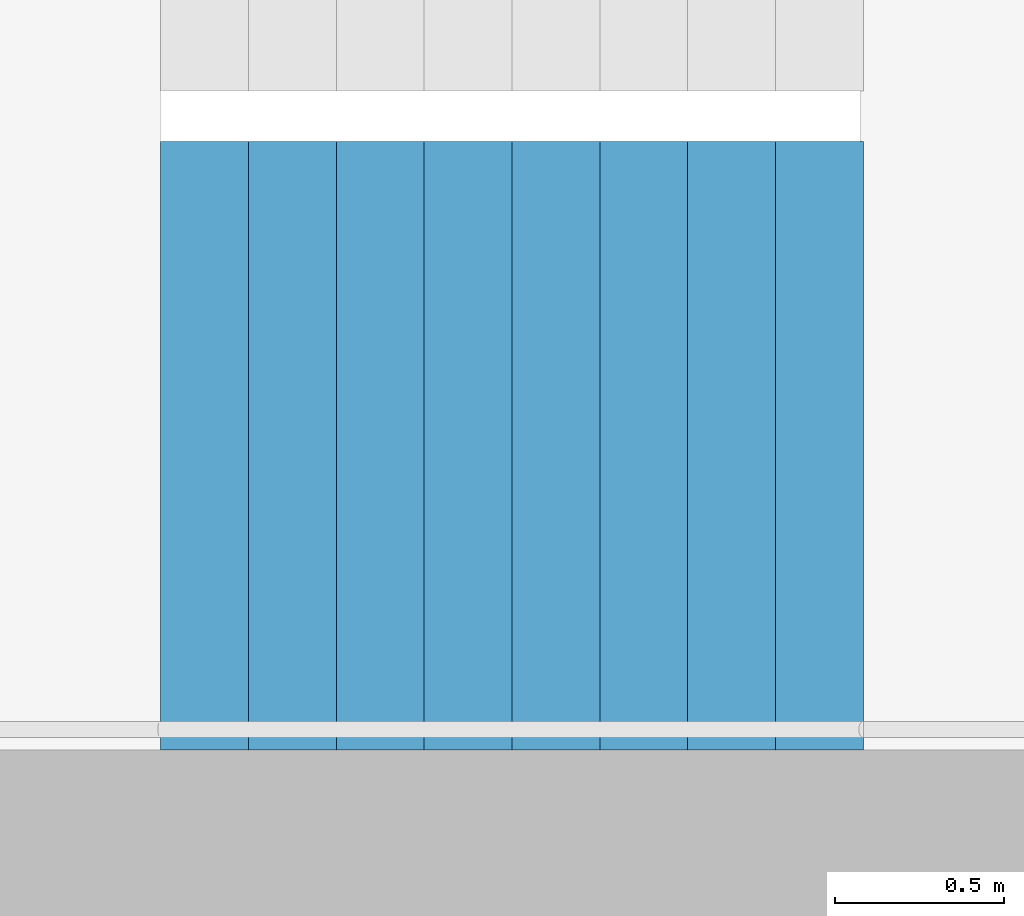
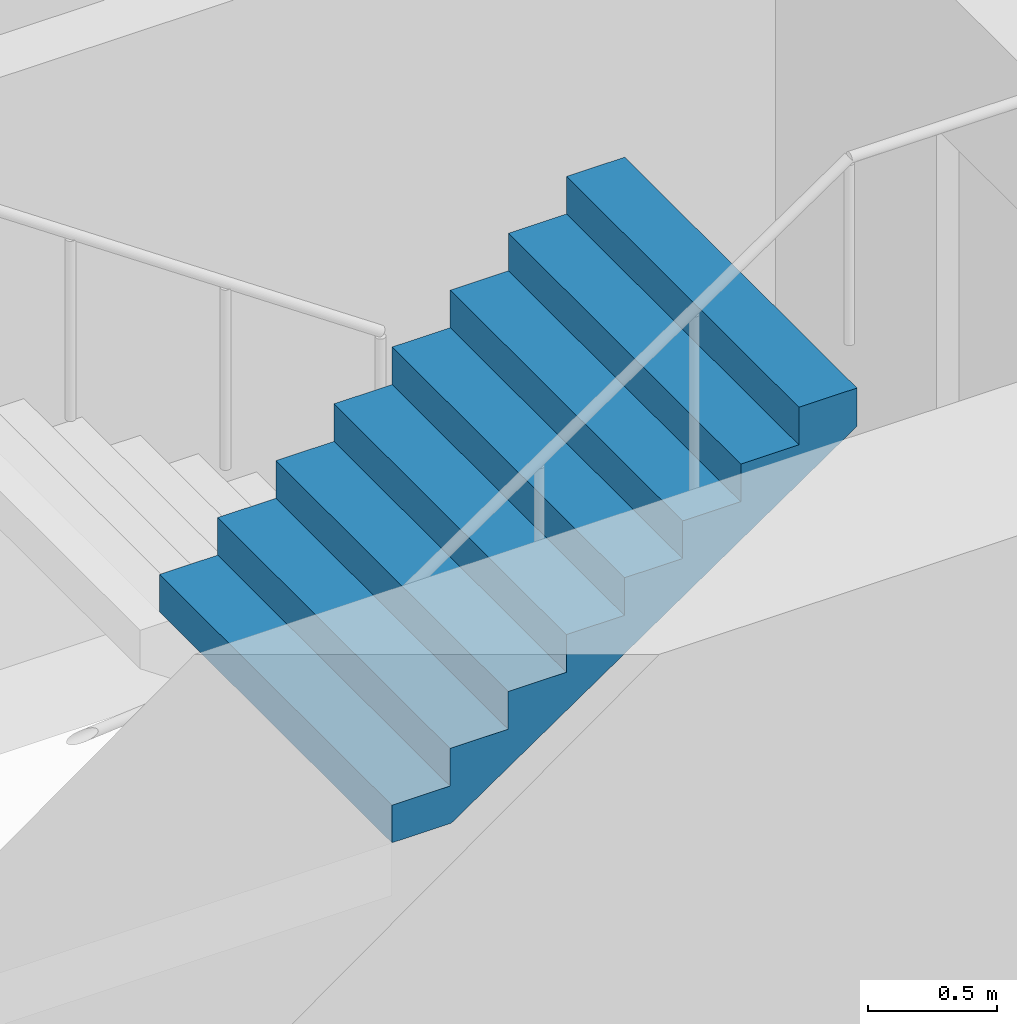
# One storey, part 21 of 29: 1 stair flight, 1 element without a shape of its own.
"""IFC4 building model written with IfcOpenShell, lengths in metres."""

from ifc_helpers import new_model, si_unit, direction, frame, origin, place, context, subcontext, project, spatial, triangles, material, type_object, element, aggregate, save


model = new_model("IFC4")

# Units and contexts
model_context = context("Model", 3, precision=1e-05, world=origin(), true_north=direction((0.0, 1.0)))
body_context = subcontext(model_context, "Body", "Model", "MODEL_VIEW")
ifc_project = project(units=[si_unit("LENGTHUNIT", "METRE"), si_unit("AREAUNIT", "SQUARE_METRE"), si_unit("VOLUMEUNIT", "CUBIC_METRE"), si_unit("PLANEANGLEUNIT", "RADIAN"), si_unit("MASSUNIT", "GRAM", prefix="KILO")], contexts=[model_context])

# Site, building, storey
site_placement = place(None, origin())
site = spatial("IfcSite", under=ifc_project, at=site_placement, CompositionType="ELEMENT")
building_placement = place(site_placement, origin())
building = spatial("IfcBuilding", under=site, at=building_placement, Name="Hakoniwa Tower and Hamabe Station Hall", CompositionType="ELEMENT")
storey_placement = place(building_placement, frame((0.0, 0.0, 29.39990234375)))
storey = spatial("IfcBuildingStorey", under=building, at=storey_placement, Name="L07", CompositionType="ELEMENT", Elevation=29.39990234375)

# Stair, stair flight
ifc_material_1 = material(Name="Concrete C40", Category="concrete")
stair_type = type_object("IfcStairType", Name="ESCAPE STAIR 1800", PredefinedType="HALF_TURN_STAIR", material=ifc_material_1)
stair_placement = place(storey_placement, origin())
stair = element("IfcStair", 1, at=stair_placement, inside=storey, type_object=stair_type, Name="Escape stair ST-2 L07", PredefinedType="HALF_TURN_STAIR")
ifc_material_2 = material(Name="Concrete C40", Category="concrete")
stair_flight_type = type_object("IfcStairFlightType", Name="STAIR FLIGHT 1800", PredefinedType="STRAIGHT", material=ifc_material_2)
stair_flight_placement = place(storey_placement, frame((-25.47998046875, -6.60009765625, 1.60009765625), z_axis=(0.0, 0.0, 1.0), x_axis=(1.0, 0.0, 0.0)))
stair_flight = element("IfcStairFlight", 2, at=stair_flight_placement, type_object=stair_flight_type, Name="ST-2 flight 2", NumberOfRisers=9, NumberOfTreads=8, PredefinedType="STRAIGHT", RiserHeight=0.177777778, TreadLength=0.26, context=body_context, shape_type="Tessellation", body=[
    triangles([(0.0, 0.89990234375, 0.0), (0.260009765625, 0.89990234375, 0.0), (0.265625, 0.89990234375, 0.0), (0.52001953125, 0.89990234375, 0.174072265625), (0.780029296875, 0.89990234375, 0.351806640625), (1.0400390625, 0.89990234375, 0.529541015625), (1.300048828125, 0.89990234375, 0.707275390625), (1.56005859375, 0.89990234375, 0.885009765625), (1.820068359375, 0.89990234375, 1.062744140625), (2.080078125, 0.89990234375, 1.24072265625), (2.080078125, 0.89990234375, 1.422119140625), (1.820068359375, 0.89990234375, 1.422119140625), (1.820068359375, 0.89990234375, 1.244384765625), (1.56005859375, 0.89990234375, 1.244384765625), (1.56005859375, 0.89990234375, 1.066650390625), (1.300048828125, 0.89990234375, 1.066650390625), (1.300048828125, 0.89990234375, 0.888916015625), (1.0400390625, 0.89990234375, 0.888916015625), (1.0400390625, 0.89990234375, 0.711181640625), (0.780029296875, 0.89990234375, 0.711181640625), (0.780029296875, 0.89990234375, 0.533447265625), (0.52001953125, 0.89990234375, 0.533447265625), (0.52001953125, 0.89990234375, 0.35546875), (0.265625, 0.89990234375, 0.35546875), (0.260009765625, 0.89990234375, 0.35546875), (0.260009765625, 0.89990234375, 0.177734375), (0.0, 0.89990234375, 0.177734375), (0.0, 0.06005859375, 0.0), (0.260009765625, 0.06005859375, 0.0), (0.265625, 0.06005859375, 0.0), (0.52001953125, 0.06005859375, 0.174072265625), (0.780029296875, 0.06005859375, 0.351806640625), (1.0400390625, 0.06005859375, 0.529541015625), (1.300048828125, 0.06005859375, 0.707275390625), (1.56005859375, 0.06005859375, 0.885009765625), (1.820068359375, 0.06005859375, 1.062744140625), (2.080078125, 0.06005859375, 1.24072265625), (2.080078125, 0.06005859375, 1.422119140625), (1.820068359375, 0.06005859375, 1.422119140625), (1.820068359375, 0.06005859375, 1.244384765625), (1.56005859375, 0.06005859375, 1.244384765625), (1.56005859375, 0.06005859375, 1.066650390625), (1.300048828125, 0.06005859375, 1.066650390625), (1.300048828125, 0.06005859375, 0.888916015625), (1.0400390625, 0.06005859375, 0.888916015625), (1.0400390625, 0.06005859375, 0.711181640625), (0.780029296875, 0.06005859375, 0.711181640625), (0.780029296875, 0.06005859375, 0.533447265625), (0.52001953125, 0.06005859375, 0.533447265625), (0.52001953125, 0.06005859375, 0.35546875), (0.265625, 0.06005859375, 0.35546875), (0.260009765625, 0.06005859375, 0.35546875), (0.260009765625, 0.06005859375, 0.177734375), (0.0, 0.06005859375, 0.177734375), (0.0, 0.04296875, 0.0), (0.260009765625, 0.04296875, 0.0), (0.265625, 0.04296875, 0.0), (0.52001953125, 0.04296875, 0.174072265625), (0.780029296875, 0.04296875, 0.351806640625), (1.0400390625, 0.04296875, 0.529541015625), (1.300048828125, 0.04296875, 0.707275390625), (1.56005859375, 0.04296875, 0.885009765625), (1.820068359375, 0.04296875, 1.062744140625), (2.080078125, 0.04296875, 1.24072265625), (2.080078125, 0.04296875, 1.422119140625), (1.820068359375, 0.04296875, 1.422119140625), (1.820068359375, 0.04296875, 1.244384765625), (1.56005859375, 0.04296875, 1.244384765625), (1.56005859375, 0.04296875, 1.066650390625), (1.300048828125, 0.04296875, 1.066650390625), (1.300048828125, 0.04296875, 0.888916015625), (1.0400390625, 0.04296875, 0.888916015625), (1.0400390625, 0.04296875, 0.711181640625), (0.780029296875, 0.04296875, 0.711181640625), (0.780029296875, 0.04296875, 0.533447265625), (0.52001953125, 0.04296875, 0.533447265625), (0.52001953125, 0.04296875, 0.35546875), (0.265625, 0.04296875, 0.35546875), (0.260009765625, 0.04296875, 0.35546875), (0.260009765625, 0.04296875, 0.177734375), (0.0, 0.04296875, 0.177734375), (0.0, 0.025634765625, 0.0), (0.260009765625, 0.025634765625, 0.0), (0.265625, 0.025634765625, 0.0), (0.52001953125, 0.025634765625, 0.174072265625), (0.780029296875, 0.025634765625, 0.351806640625), (1.0400390625, 0.025634765625, 0.529541015625), (1.300048828125, 0.025634765625, 0.707275390625), (1.56005859375, 0.025634765625, 0.885009765625), (1.820068359375, 0.025634765625, 1.062744140625), (2.080078125, 0.025634765625, 1.24072265625), (2.080078125, 0.025634765625, 1.422119140625), (1.820068359375, 0.025634765625, 1.422119140625), (1.820068359375, 0.025634765625, 1.244384765625), (1.56005859375, 0.025634765625, 1.244384765625), (1.56005859375, 0.025634765625, 1.066650390625), (1.300048828125, 0.025634765625, 1.066650390625), (1.300048828125, 0.025634765625, 0.888916015625), (1.0400390625, 0.025634765625, 0.888916015625), (1.0400390625, 0.025634765625, 0.711181640625), (0.780029296875, 0.025634765625, 0.711181640625), (0.780029296875, 0.025634765625, 0.533447265625), (0.52001953125, 0.025634765625, 0.533447265625), (0.52001953125, 0.025634765625, 0.35546875), (0.265625, 0.025634765625, 0.35546875), (0.260009765625, 0.025634765625, 0.35546875), (0.260009765625, 0.025634765625, 0.177734375), (0.0, 0.025634765625, 0.177734375), (0.0, 0.008544921875, 0.0), (0.260009765625, 0.008544921875, 0.0), (0.265625, 0.008544921875, 0.0), (0.52001953125, 0.008544921875, 0.174072265625), (0.780029296875, 0.008544921875, 0.351806640625), (1.0400390625, 0.008544921875, 0.529541015625), (1.300048828125, 0.008544921875, 0.707275390625), (1.56005859375, 0.008544921875, 0.885009765625), (1.820068359375, 0.008544921875, 1.062744140625), (2.080078125, 0.008544921875, 1.24072265625), (2.080078125, 0.008544921875, 1.422119140625), (1.820068359375, 0.008544921875, 1.422119140625), (1.820068359375, 0.008544921875, 1.244384765625), (1.56005859375, 0.008544921875, 1.244384765625), (1.56005859375, 0.008544921875, 1.066650390625), (1.300048828125, 0.008544921875, 1.066650390625), (1.300048828125, 0.008544921875, 0.888916015625), (1.0400390625, 0.008544921875, 0.888916015625), (1.0400390625, 0.008544921875, 0.711181640625), (0.780029296875, 0.008544921875, 0.711181640625), (0.780029296875, 0.008544921875, 0.533447265625), (0.52001953125, 0.008544921875, 0.533447265625), (0.52001953125, 0.008544921875, 0.35546875), (0.265625, 0.008544921875, 0.35546875), (0.260009765625, 0.008544921875, 0.35546875), (0.260009765625, 0.008544921875, 0.177734375), (0.0, 0.008544921875, 0.177734375), (0.0, -0.008544921875, 0.0), (0.260009765625, -0.008544921875, 0.0), (0.265625, -0.008544921875, 0.0), (0.52001953125, -0.008544921875, 0.174072265625), (0.780029296875, -0.008544921875, 0.351806640625), (1.0400390625, -0.008544921875, 0.529541015625), (1.300048828125, -0.008544921875, 0.707275390625), (1.56005859375, -0.008544921875, 0.885009765625), (1.820068359375, -0.008544921875, 1.062744140625), (2.080078125, -0.008544921875, 1.24072265625), (2.080078125, -0.008544921875, 1.422119140625), (1.820068359375, -0.008544921875, 1.422119140625), (1.820068359375, -0.008544921875, 1.244384765625), (1.56005859375, -0.008544921875, 1.244384765625), (1.56005859375, -0.008544921875, 1.066650390625), (1.300048828125, -0.008544921875, 1.066650390625), (1.300048828125, -0.008544921875, 0.888916015625), (1.0400390625, -0.008544921875, 0.888916015625), (1.0400390625, -0.008544921875, 0.711181640625), (0.780029296875, -0.008544921875, 0.711181640625), (0.780029296875, -0.008544921875, 0.533447265625), (0.52001953125, -0.008544921875, 0.533447265625), (0.52001953125, -0.008544921875, 0.35546875), (0.265625, -0.008544921875, 0.35546875), (0.260009765625, -0.008544921875, 0.35546875), (0.260009765625, -0.008544921875, 0.177734375), (0.0, -0.008544921875, 0.177734375), (0.0, -0.025634765625, 0.0), (0.260009765625, -0.025634765625, 0.0), (0.265625, -0.025634765625, 0.0), (0.52001953125, -0.025634765625, 0.174072265625), (0.780029296875, -0.025634765625, 0.351806640625), (1.0400390625, -0.025634765625, 0.529541015625), (1.300048828125, -0.025634765625, 0.707275390625), (1.56005859375, -0.025634765625, 0.885009765625), (1.820068359375, -0.025634765625, 1.062744140625), (2.080078125, -0.025634765625, 1.24072265625), (2.080078125, -0.025634765625, 1.422119140625), (1.820068359375, -0.025634765625, 1.422119140625), (1.820068359375, -0.025634765625, 1.244384765625), (1.56005859375, -0.025634765625, 1.244384765625), (1.56005859375, -0.025634765625, 1.066650390625), (1.300048828125, -0.025634765625, 1.066650390625), (1.300048828125, -0.025634765625, 0.888916015625), (1.0400390625, -0.025634765625, 0.888916015625), (1.0400390625, -0.025634765625, 0.711181640625), (0.780029296875, -0.025634765625, 0.711181640625), (0.780029296875, -0.025634765625, 0.533447265625), (0.52001953125, -0.025634765625, 0.533447265625), (0.52001953125, -0.025634765625, 0.35546875), (0.265625, -0.025634765625, 0.35546875), (0.260009765625, -0.025634765625, 0.35546875), (0.260009765625, -0.025634765625, 0.177734375), (0.0, -0.025634765625, 0.177734375), (0.0, -0.04296875, 0.0), (0.260009765625, -0.04296875, 0.0), (0.265625, -0.04296875, 0.0), (0.52001953125, -0.04296875, 0.174072265625), (0.780029296875, -0.04296875, 0.351806640625), (1.0400390625, -0.04296875, 0.529541015625), (1.300048828125, -0.04296875, 0.707275390625), (1.56005859375, -0.04296875, 0.885009765625), (1.820068359375, -0.04296875, 1.062744140625), (2.080078125, -0.04296875, 1.24072265625), (2.080078125, -0.04296875, 1.422119140625), (1.820068359375, -0.04296875, 1.422119140625), (1.820068359375, -0.04296875, 1.244384765625), (1.56005859375, -0.04296875, 1.244384765625), (1.56005859375, -0.04296875, 1.066650390625), (1.300048828125, -0.04296875, 1.066650390625), (1.300048828125, -0.04296875, 0.888916015625), (1.0400390625, -0.04296875, 0.888916015625), (1.0400390625, -0.04296875, 0.711181640625), (0.780029296875, -0.04296875, 0.711181640625), (0.780029296875, -0.04296875, 0.533447265625), (0.52001953125, -0.04296875, 0.533447265625), (0.52001953125, -0.04296875, 0.35546875), (0.265625, -0.04296875, 0.35546875), (0.260009765625, -0.04296875, 0.35546875), (0.260009765625, -0.04296875, 0.177734375), (0.0, -0.04296875, 0.177734375), (0.0, -0.06005859375, 0.0), (0.260009765625, -0.06005859375, 0.0), (0.265625, -0.06005859375, 0.0), (0.52001953125, -0.06005859375, 0.174072265625), (0.780029296875, -0.06005859375, 0.351806640625), (1.0400390625, -0.06005859375, 0.529541015625), (1.300048828125, -0.06005859375, 0.707275390625), (1.56005859375, -0.06005859375, 0.885009765625), (1.820068359375, -0.06005859375, 1.062744140625), (2.080078125, -0.06005859375, 1.24072265625), (2.080078125, -0.06005859375, 1.422119140625), (1.820068359375, -0.06005859375, 1.422119140625), (1.820068359375, -0.06005859375, 1.244384765625), (1.56005859375, -0.06005859375, 1.244384765625), (1.56005859375, -0.06005859375, 1.066650390625), (1.300048828125, -0.06005859375, 1.066650390625), (1.300048828125, -0.06005859375, 0.888916015625), (1.0400390625, -0.06005859375, 0.888916015625), (1.0400390625, -0.06005859375, 0.711181640625), (0.780029296875, -0.06005859375, 0.711181640625), (0.780029296875, -0.06005859375, 0.533447265625), (0.52001953125, -0.06005859375, 0.533447265625), (0.52001953125, -0.06005859375, 0.35546875), (0.265625, -0.06005859375, 0.35546875), (0.260009765625, -0.06005859375, 0.35546875), (0.260009765625, -0.06005859375, 0.177734375), (0.0, -0.06005859375, 0.177734375), (0.0, -0.89990234375, 0.0), (0.260009765625, -0.89990234375, 0.0), (0.265625, -0.89990234375, 0.0), (0.52001953125, -0.89990234375, 0.174072265625), (0.780029296875, -0.89990234375, 0.351806640625), (1.0400390625, -0.89990234375, 0.529541015625), (1.300048828125, -0.89990234375, 0.707275390625), (1.56005859375, -0.89990234375, 0.885009765625), (1.820068359375, -0.89990234375, 1.062744140625), (2.080078125, -0.89990234375, 1.24072265625), (2.080078125, -0.89990234375, 1.422119140625), (1.820068359375, -0.89990234375, 1.422119140625), (1.820068359375, -0.89990234375, 1.244384765625), (1.56005859375, -0.89990234375, 1.244384765625), (1.56005859375, -0.89990234375, 1.066650390625), (1.300048828125, -0.89990234375, 1.066650390625), (1.300048828125, -0.89990234375, 0.888916015625), (1.0400390625, -0.89990234375, 0.888916015625), (1.0400390625, -0.89990234375, 0.711181640625), (0.780029296875, -0.89990234375, 0.711181640625), (0.780029296875, -0.89990234375, 0.533447265625), (0.52001953125, -0.89990234375, 0.533447265625), (0.52001953125, -0.89990234375, 0.35546875), (0.265625, -0.89990234375, 0.35546875), (0.260009765625, -0.89990234375, 0.35546875), (0.260009765625, -0.89990234375, 0.177734375), (0.0, -0.89990234375, 0.177734375)], [[2, 27, 26], [245, 269, 270], [2, 1, 27], [245, 270, 244], [3, 25, 24], [246, 267, 268], [3, 26, 25], [246, 268, 269], [3, 2, 26], [246, 269, 245], [4, 24, 23], [247, 266, 267], [4, 3, 24], [247, 267, 246], [5, 22, 21], [248, 264, 265], [5, 23, 22], [248, 265, 266], [5, 4, 23], [248, 266, 247], [6, 20, 19], [249, 262, 263], [6, 21, 20], [249, 263, 264], [6, 5, 21], [249, 264, 248], [7, 18, 17], [250, 260, 261], [7, 19, 18], [250, 261, 262], [7, 6, 19], [250, 262, 249], [8, 16, 15], [251, 258, 259], [8, 17, 16], [251, 259, 260], [8, 7, 17], [251, 260, 250], [9, 14, 13], [252, 256, 257], [9, 15, 14], [252, 257, 258], [9, 8, 15], [252, 258, 251], [10, 12, 11], [253, 254, 255], [10, 13, 12], [253, 255, 256], [10, 9, 13], [253, 256, 252], [1, 2, 29], [1, 29, 28], [28, 29, 56], [28, 56, 55], [55, 56, 83], [55, 83, 82], [82, 83, 110], [82, 110, 109], [109, 110, 137], [109, 137, 136], [136, 137, 164], [136, 164, 163], [163, 164, 191], [163, 191, 190], [190, 191, 218], [190, 218, 217], [217, 218, 245], [217, 245, 244], [2, 3, 30], [2, 30, 29], [29, 30, 57], [29, 57, 56], [56, 57, 84], [56, 84, 83], [83, 84, 111], [83, 111, 110], [110, 111, 138], [110, 138, 137], [137, 138, 165], [137, 165, 164], [164, 165, 192], [164, 192, 191], [191, 192, 219], [191, 219, 218], [218, 219, 246], [218, 246, 245], [3, 4, 31], [3, 31, 30], [30, 31, 58], [30, 58, 57], [57, 58, 85], [57, 85, 84], [84, 85, 112], [84, 112, 111], [111, 112, 139], [111, 139, 138], [138, 139, 166], [138, 166, 165], [165, 166, 193], [165, 193, 192], [192, 193, 220], [192, 220, 219], [219, 220, 247], [219, 247, 246], [4, 5, 32], [4, 32, 31], [31, 32, 59], [31, 59, 58], [58, 59, 86], [58, 86, 85], [85, 86, 113], [85, 113, 112], [112, 113, 140], [112, 140, 139], [139, 140, 167], [139, 167, 166], [166, 167, 194], [166, 194, 193], [193, 194, 221], [193, 221, 220], [220, 221, 248], [220, 248, 247], [5, 6, 33], [5, 33, 32], [32, 33, 60], [32, 60, 59], [59, 60, 87], [59, 87, 86], [86, 87, 114], [86, 114, 113], [113, 114, 141], [113, 141, 140], [140, 141, 168], [140, 168, 167], [167, 168, 195], [167, 195, 194], [194, 195, 222], [194, 222, 221], [221, 222, 249], [221, 249, 248], [6, 7, 34], [6, 34, 33], [33, 34, 61], [33, 61, 60], [60, 61, 88], [60, 88, 87], [87, 88, 115], [87, 115, 114], [114, 115, 142], [114, 142, 141], [141, 142, 169], [141, 169, 168], [168, 169, 196], [168, 196, 195], [195, 196, 223], [195, 223, 222], [222, 223, 250], [222, 250, 249], [7, 8, 35], [7, 35, 34], [34, 35, 62], [34, 62, 61], [61, 62, 89], [61, 89, 88], [88, 89, 116], [88, 116, 115], [115, 116, 143], [115, 143, 142], [142, 143, 170], [142, 170, 169], [169, 170, 197], [169, 197, 196], [196, 197, 224], [196, 224, 223], [223, 224, 251], [223, 251, 250], [8, 9, 36], [8, 36, 35], [35, 36, 63], [35, 63, 62], [62, 63, 90], [62, 90, 89], [89, 90, 117], [89, 117, 116], [116, 117, 144], [116, 144, 143], [143, 144, 171], [143, 171, 170], [170, 171, 198], [170, 198, 197], [197, 198, 225], [197, 225, 224], [224, 225, 252], [224, 252, 251], [9, 10, 37], [9, 37, 36], [36, 37, 64], [36, 64, 63], [63, 64, 91], [63, 91, 90], [90, 91, 118], [90, 118, 117], [117, 118, 145], [117, 145, 144], [144, 145, 172], [144, 172, 171], [171, 172, 199], [171, 199, 198], [198, 199, 226], [198, 226, 225], [225, 226, 253], [225, 253, 252], [10, 11, 38], [10, 38, 37], [37, 38, 65], [37, 65, 64], [64, 65, 92], [64, 92, 91], [91, 92, 119], [91, 119, 118], [118, 119, 146], [118, 146, 145], [145, 146, 173], [145, 173, 172], [172, 173, 200], [172, 200, 199], [199, 200, 227], [199, 227, 226], [226, 227, 254], [226, 254, 253], [11, 12, 39], [11, 39, 38], [38, 39, 66], [38, 66, 65], [65, 66, 93], [65, 93, 92], [92, 93, 120], [92, 120, 119], [119, 120, 147], [119, 147, 146], [146, 147, 174], [146, 174, 173], [173, 174, 201], [173, 201, 200], [200, 201, 228], [200, 228, 227], [227, 228, 255], [227, 255, 254], [12, 13, 40], [12, 40, 39], [39, 40, 67], [39, 67, 66], [66, 67, 94], [66, 94, 93], [93, 94, 121], [93, 121, 120], [120, 121, 148], [120, 148, 147], [147, 148, 175], [147, 175, 174], [174, 175, 202], [174, 202, 201], [201, 202, 229], [201, 229, 228], [228, 229, 256], [228, 256, 255], [13, 14, 41], [13, 41, 40], [40, 41, 68], [40, 68, 67], [67, 68, 95], [67, 95, 94], [94, 95, 122], [94, 122, 121], [121, 122, 149], [121, 149, 148], [148, 149, 176], [148, 176, 175], [175, 176, 203], [175, 203, 202], [202, 203, 230], [202, 230, 229], [229, 230, 257], [229, 257, 256], [14, 15, 42], [14, 42, 41], [41, 42, 69], [41, 69, 68], [68, 69, 96], [68, 96, 95], [95, 96, 123], [95, 123, 122], [122, 123, 150], [122, 150, 149], [149, 150, 177], [149, 177, 176], [176, 177, 204], [176, 204, 203], [203, 204, 231], [203, 231, 230], [230, 231, 258], [230, 258, 257], [15, 16, 43], [15, 43, 42], [42, 43, 70], [42, 70, 69], [69, 70, 97], [69, 97, 96], [96, 97, 124], [96, 124, 123], [123, 124, 151], [123, 151, 150], [150, 151, 178], [150, 178, 177], [177, 178, 205], [177, 205, 204], [204, 205, 232], [204, 232, 231], [231, 232, 259], [231, 259, 258], [16, 17, 44], [16, 44, 43], [43, 44, 71], [43, 71, 70], [70, 71, 98], [70, 98, 97], [97, 98, 125], [97, 125, 124], [124, 125, 152], [124, 152, 151], [151, 152, 179], [151, 179, 178], [178, 179, 206], [178, 206, 205], [205, 206, 233], [205, 233, 232], [232, 233, 260], [232, 260, 259], [17, 18, 45], [17, 45, 44], [44, 45, 72], [44, 72, 71], [71, 72, 99], [71, 99, 98], [98, 99, 126], [98, 126, 125], [125, 126, 153], [125, 153, 152], [152, 153, 180], [152, 180, 179], [179, 180, 207], [179, 207, 206], [206, 207, 234], [206, 234, 233], [233, 234, 261], [233, 261, 260], [18, 19, 46], [18, 46, 45], [45, 46, 73], [45, 73, 72], [72, 73, 100], [72, 100, 99], [99, 100, 127], [99, 127, 126], [126, 127, 154], [126, 154, 153], [153, 154, 181], [153, 181, 180], [180, 181, 208], [180, 208, 207], [207, 208, 235], [207, 235, 234], [234, 235, 262], [234, 262, 261], [19, 20, 47], [19, 47, 46], [46, 47, 74], [46, 74, 73], [73, 74, 101], [73, 101, 100], [100, 101, 128], [100, 128, 127], [127, 128, 155], [127, 155, 154], [154, 155, 182], [154, 182, 181], [181, 182, 209], [181, 209, 208], [208, 209, 236], [208, 236, 235], [235, 236, 263], [235, 263, 262], [20, 21, 48], [20, 48, 47], [47, 48, 75], [47, 75, 74], [74, 75, 102], [74, 102, 101], [101, 102, 129], [101, 129, 128], [128, 129, 156], [128, 156, 155], [155, 156, 183], [155, 183, 182], [182, 183, 210], [182, 210, 209], [209, 210, 237], [209, 237, 236], [236, 237, 264], [236, 264, 263], [21, 22, 49], [21, 49, 48], [48, 49, 76], [48, 76, 75], [75, 76, 103], [75, 103, 102], [102, 103, 130], [102, 130, 129], [129, 130, 157], [129, 157, 156], [156, 157, 184], [156, 184, 183], [183, 184, 211], [183, 211, 210], [210, 211, 238], [210, 238, 237], [237, 238, 265], [237, 265, 264], [22, 23, 50], [22, 50, 49], [49, 50, 77], [49, 77, 76], [76, 77, 104], [76, 104, 103], [103, 104, 131], [103, 131, 130], [130, 131, 158], [130, 158, 157], [157, 158, 185], [157, 185, 184], [184, 185, 212], [184, 212, 211], [211, 212, 239], [211, 239, 238], [238, 239, 266], [238, 266, 265], [23, 24, 51], [23, 51, 50], [50, 51, 78], [50, 78, 77], [77, 78, 105], [77, 105, 104], [104, 105, 132], [104, 132, 131], [131, 132, 159], [131, 159, 158], [158, 159, 186], [158, 186, 185], [185, 186, 213], [185, 213, 212], [212, 213, 240], [212, 240, 239], [239, 240, 267], [239, 267, 266], [24, 25, 52], [24, 52, 51], [51, 52, 79], [51, 79, 78], [78, 79, 106], [78, 106, 105], [105, 106, 133], [105, 133, 132], [132, 133, 160], [132, 160, 159], [159, 160, 187], [159, 187, 186], [186, 187, 214], [186, 214, 213], [213, 214, 241], [213, 241, 240], [240, 241, 268], [240, 268, 267], [25, 26, 53], [25, 53, 52], [52, 53, 80], [52, 80, 79], [79, 80, 107], [79, 107, 106], [106, 107, 134], [106, 134, 133], [133, 134, 161], [133, 161, 160], [160, 161, 188], [160, 188, 187], [187, 188, 215], [187, 215, 214], [214, 215, 242], [214, 242, 241], [241, 242, 269], [241, 269, 268], [26, 27, 54], [26, 54, 53], [53, 54, 81], [53, 81, 80], [80, 81, 108], [80, 108, 107], [107, 108, 135], [107, 135, 134], [134, 135, 162], [134, 162, 161], [161, 162, 189], [161, 189, 188], [188, 189, 216], [188, 216, 215], [215, 216, 243], [215, 243, 242], [242, 243, 270], [242, 270, 269], [27, 1, 28], [27, 28, 54], [54, 28, 55], [54, 55, 81], [81, 55, 82], [81, 82, 108], [108, 82, 109], [108, 109, 135], [135, 109, 136], [135, 136, 162], [162, 136, 163], [162, 163, 189], [189, 163, 190], [189, 190, 216], [216, 190, 217], [216, 217, 243], [243, 217, 244], [243, 244, 270]], closed=True),
])
aggregate(stair, [stair_flight])

save(model, "model.ifc")
